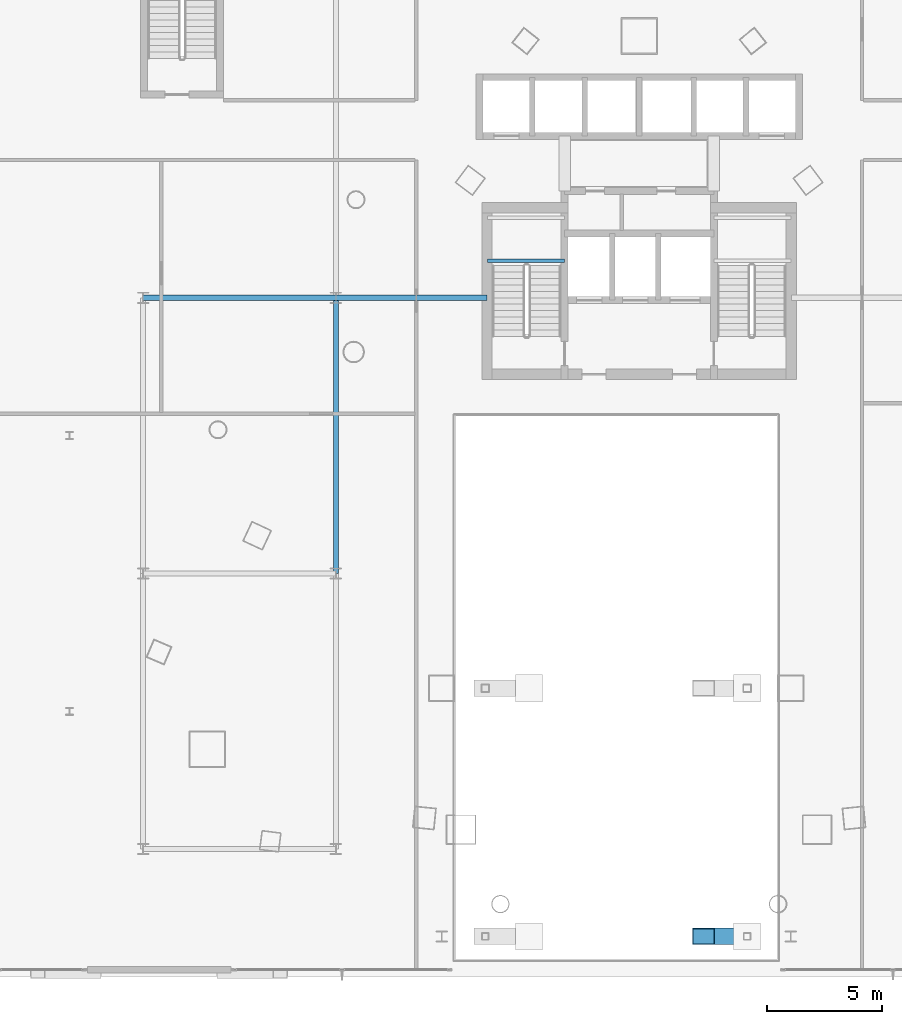
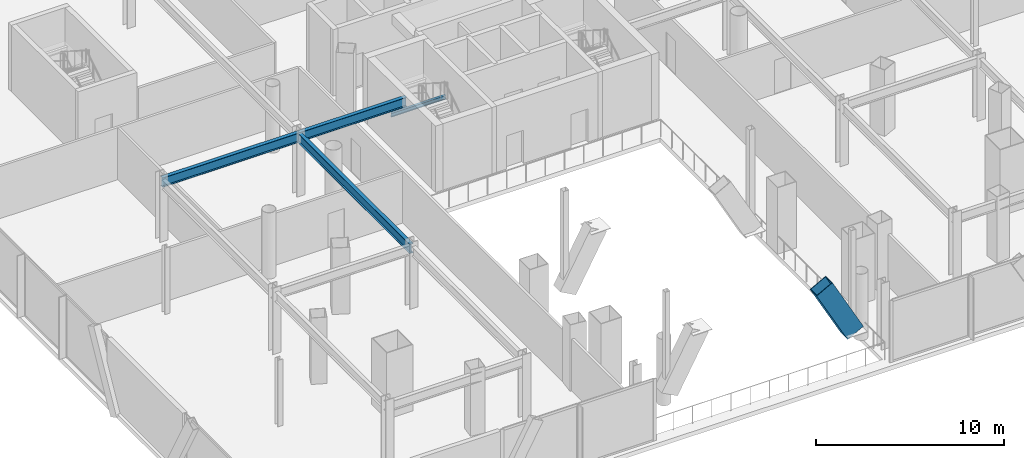
# One storey, part 13 of 42: 4 beams, 1 member.
"""IFC4 building model written with IfcOpenShell, lengths in metres."""

from ifc_helpers import new_model, si_unit, direction, frame, origin, origin_2d, place, context, subcontext, project, spatial, hollow_rectangle, i_section, extrude, material, material_profile, profile_set, type_object, element, save


model = new_model("IFC4")

# Units and contexts
model_context = context("Model", 3, precision=1e-05, world=origin(), true_north=direction((0.0, 1.0)))
body_context = subcontext(model_context, "Body", "Model", "MODEL_VIEW")
ifc_project = project(units=[si_unit("LENGTHUNIT", "METRE"), si_unit("AREAUNIT", "SQUARE_METRE"), si_unit("VOLUMEUNIT", "CUBIC_METRE"), si_unit("PLANEANGLEUNIT", "RADIAN"), si_unit("MASSUNIT", "GRAM", prefix="KILO")], contexts=[model_context])

# Site, building, storey
site_placement = place(None, origin())
site = spatial("IfcSite", under=ifc_project, at=site_placement, CompositionType="ELEMENT")
building_placement = place(site_placement, origin())
building = spatial("IfcBuilding", under=site, at=building_placement, Name="Orvanel Arch Residences", CompositionType="ELEMENT")
storey_placement = place(building_placement, frame((0.0, 0.0, 5.5)))
storey = spatial("IfcBuildingStorey", under=building, at=storey_placement, Name="L01", CompositionType="ELEMENT", Elevation=5.5)

# Member
ifc_material_1 = material(Name="Structural steel AS/NZS 3678 Grade 350", Category="steel")
ifc_material_profile_1 = material_profile(ifc_material_1, hollow_rectangle(XDim=0.719970703125, YDim=1.10009765625, WallThickness=0.035888671875, at=origin_2d()), Name="BOX1100x720x36")
ifc_profile_set_1 = profile_set([ifc_material_profile_1], Name="Structural steel AS/NZS 3678 Grade 350")
member_type = type_object("IfcMemberType", Name="AR-1100BOX-EXT", PredefinedType="USERDEFINED", material=ifc_profile_set_1)
member_placement = place(storey_placement, frame((35.800048828125, 2.199951171875, 5.262939453125), z_axis=(0.478671116441, 0.0, -0.877994283743), x_axis=(0.0, 1.0, 0.0)))
element("IfcMember", 1, at=member_placement, inside=storey, type_object=member_type, Name="Monumental Podium Arch Rib SOUTH Segment 7", ObjectType="ARCH_SEGMENT", PredefinedType="USERDEFINED", context=body_context, shape_type="SweptSolid", body=[
    extrude(hollow_rectangle(XDim=0.719970703125, YDim=1.10009765625, WallThickness=0.035888671875, at=origin_2d()), origin(), (0.0, 0.0, 1.0), 3.96923828125),
])

# Beams
ifc_material_2 = material(Name="Structural steel AS/NZS 3679.1 Grade 300 (300 MPa)", Category="steel")
ifc_material_profile_2 = material_profile(ifc_material_2, i_section(OverallWidth=0.22900390625, OverallDepth=0.612060546875, WebThickness=0.011962890625, FlangeThickness=0.01953125, at=origin_2d()), Name="610UB125")
ifc_profile_set_2 = profile_set([ifc_material_profile_2], Name="Structural steel AS/NZS 3679.1 Grade 300 (300 MPa)")
beam_type_1 = type_object("IfcBeamType", Name="BG-610UB", PredefinedType="BEAM", material=ifc_profile_set_2)
beam_1_placement = place(storey_placement, frame((11.39990234375, 30.0, 3.714111328125), z_axis=(1.0, 0.0, 0.0), x_axis=(0.0, 1.0, 0.0)))
element("IfcBeam", 2, at=beam_1_placement, inside=storey, type_object=beam_type_1, Name="L01 BG-610UB beam", PredefinedType="BEAM", context=body_context, shape_type="SweptSolid", body=[
    extrude(i_section(OverallWidth=0.22900390625, OverallDepth=0.612060546875, WebThickness=0.011962890625, FlangeThickness=0.01953125, at=origin_2d()), origin(), (0.0, 0.0, 1.0), 8.400146484375),
])
beam_2_placement = place(storey_placement, frame((19.800048828125, 30.0, 3.714111328125), z_axis=(1.0, 0.0, 0.0), x_axis=(0.0, 1.0, 0.0)))
element("IfcBeam", 3, at=beam_2_placement, inside=storey, type_object=beam_type_1, Name="L01 BG-610UB beam", PredefinedType="BEAM", context=body_context, shape_type="SweptSolid", body=[
    extrude(i_section(OverallWidth=0.22900390625, OverallDepth=0.612060546875, WebThickness=0.011962890625, FlangeThickness=0.01953125, at=origin_2d()), origin(), (0.0, 0.0, 1.0), 6.574951171875),
])
beam_3_placement = place(storey_placement, frame((19.800048828125, 18.0, 3.714111328125), z_axis=(0.0, 1.0, 0.0), x_axis=(-1.0, 0.0, 0.0)))
element("IfcBeam", 4, at=beam_3_placement, inside=storey, type_object=beam_type_1, Name="L01 North-South Podium Girder XW20-M", PredefinedType="BEAM", context=body_context, shape_type="SweptSolid", body=[
    extrude(i_section(OverallWidth=0.22900390625, OverallDepth=0.612060546875, WebThickness=0.011962890625, FlangeThickness=0.01953125, at=origin_2d()), origin(), (0.0, 0.0, 1.0), 12.0),
])
ifc_material_profile_3 = material_profile(ifc_material_2, i_section(OverallWidth=0.14599609375, OverallDepth=0.251953125, WebThickness=0.006103515625, FlangeThickness=0.008544921875, at=origin_2d()), Name="250UB31.4")
ifc_profile_set_3 = profile_set([ifc_material_profile_3], Name="Structural steel AS/NZS 3679.1 Grade 300 (300 MPa)")
beam_type_2 = type_object("IfcBeamType", Name="BJ-250UB", PredefinedType="JOIST", material=ifc_profile_set_3)
beam_4_placement = place(storey_placement, frame((26.39990234375, 31.6201171875, 1.823974609375), z_axis=(1.0, 0.0, 0.0), x_axis=(0.0, 1.0, 0.0)))
element("IfcBeam", 5, at=beam_4_placement, inside=storey, type_object=beam_type_2, Name="L01 ST-1 Half-Landing Support Beam 1.1", PredefinedType="JOIST", context=body_context, shape_type="SweptSolid", body=[
    extrude(i_section(OverallWidth=0.14599609375, OverallDepth=0.251953125, WebThickness=0.006103515625, FlangeThickness=0.008544921875, at=origin_2d()), origin(), (0.0, 0.0, 1.0), 3.35009765625),
])

save(model, "model.ifc")
